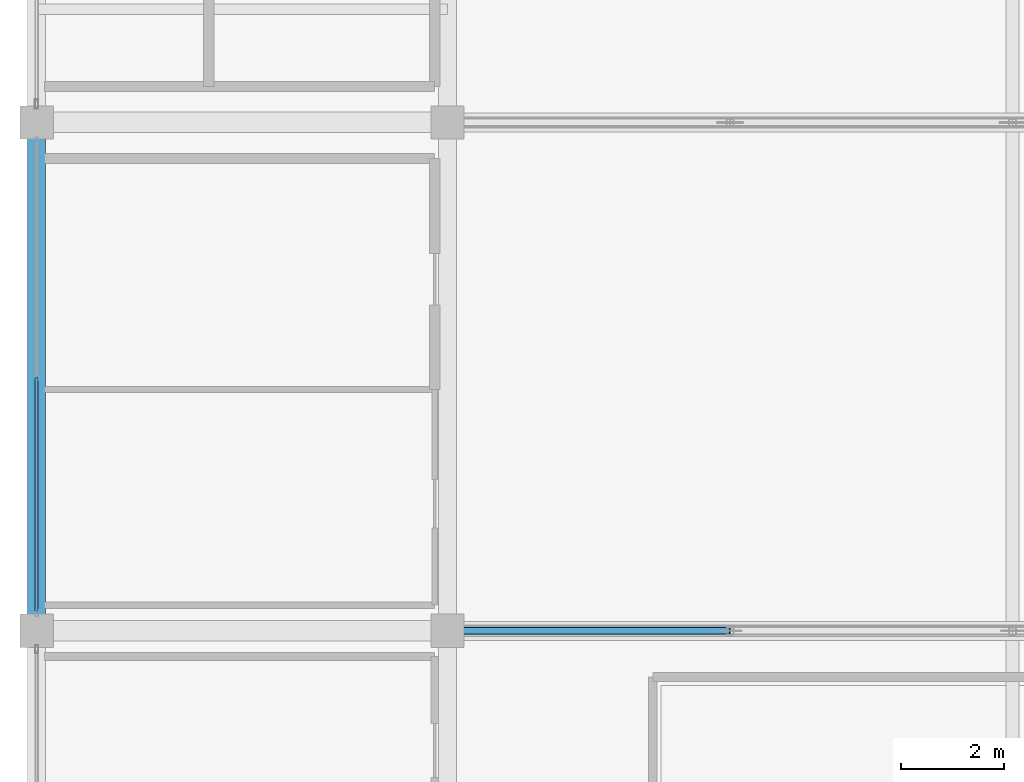
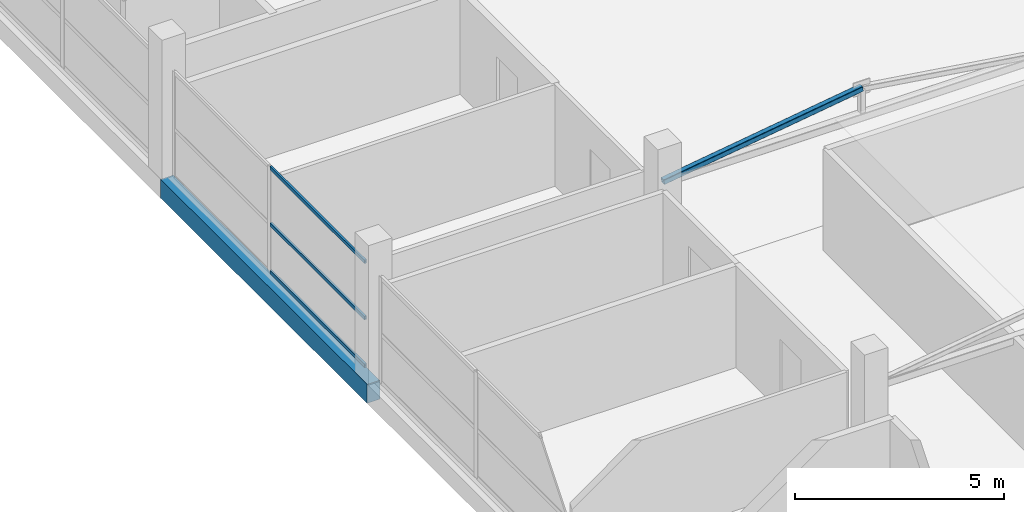
# One storey, part 22 of 66: 4 members, 1 beam, 1 element without a shape of its own.
"""IFC4 building model written with IfcOpenShell, lengths in metres."""

from ifc_helpers import new_model, si_unit, direction, frame, origin, origin_2d, place, context, subcontext, project, spatial, rectangle, hollow_rectangle, extrude, material, layer, layer_set, material_profile, profile_set, type_object, element, aggregate, save


model = new_model("IFC4")

# Units and contexts
model_context = context("Model", 3, precision=1e-05, world=origin(), true_north=direction((0.0, 1.0)))
body_context = subcontext(model_context, "Body", "Model", "MODEL_VIEW")
ifc_project = project(units=[si_unit("LENGTHUNIT", "METRE"), si_unit("AREAUNIT", "SQUARE_METRE"), si_unit("VOLUMEUNIT", "CUBIC_METRE"), si_unit("PLANEANGLEUNIT", "RADIAN"), si_unit("MASSUNIT", "GRAM", prefix="KILO")], contexts=[model_context])

# Site, building, storey
site_placement = place(None, origin())
site = spatial("IfcSite", under=ifc_project, at=site_placement, CompositionType="ELEMENT")
building_placement = place(site_placement, origin())
building = spatial("IfcBuilding", under=site, at=building_placement, Name="Sillaruma Civic Art Gallery", CompositionType="ELEMENT")
storey_placement = place(building_placement, frame((0.0, 0.0, 62.219970703125)))
storey = spatial("IfcBuildingStorey", under=building, at=storey_placement, Name="L12", CompositionType="ELEMENT", Elevation=62.219970703125)

# Beam
ifc_material_1 = material(Name="Concrete H35 (35 MPa)", Category="concrete")
ifc_material_profile_1 = material_profile(ifc_material_1, rectangle(XDim=0.35009765625, YDim=0.550048828125, at=origin_2d()), Name="RCB350x550")
ifc_profile_set_1 = profile_set([ifc_material_profile_1], Name="Concrete H35 (35 MPa)")
beam_type = type_object("IfcBeamType", Name="BM-SPANDREL-RCB350x550", PredefinedType="SPANDREL", material=ifc_profile_set_1)
beam_placement = place(storey_placement, frame((62.0, 59.39990234375, -0.5048828125), z_axis=(0.0, 1.0, 0.0), x_axis=(-1.0, 0.0, 0.0)))
element("IfcBeam", 1, at=beam_placement, inside=storey, type_object=beam_type, Name="Beam BS-04 (L11:F:7-8)", PredefinedType="SPANDREL", context=body_context, shape_type="SweptSolid", body=[
    extrude(rectangle(XDim=0.35009765625, YDim=0.550048828125, at=origin_2d()), origin(), (0.0, 0.0, 1.0), 9.900146484375),
])

# Member
ifc_material_2 = material(Name="Structural Steel ASTM A500 Gr.C", Category="steel")
ifc_material_profile_2 = material_profile(ifc_material_2, hollow_rectangle(XDim=0.14990234375, YDim=0.14990234375, WallThickness=0.010009765625, InnerFilletRadius=0.010009765625, OuterFilletRadius=0.02001953125, at=origin_2d()), Name="HSS150x150x10")
ifc_profile_set_2 = profile_set([ifc_material_profile_2], Name="Structural Steel ASTM A500 Gr.C")
member_type_1 = type_object("IfcMemberType", Name="MEM-BRACE-HSS150x150x10", PredefinedType="BRACE", material=ifc_profile_set_2)
member_1_placement = place(storey_placement, frame((70.0, 59.39990234375, 2.860107421875), z_axis=(0.989384036218, 0.0, 0.145324563914), x_axis=(0.0, 1.0, 0.0)))
element("IfcMember", 2, at=member_1_placement, inside=storey, type_object=member_type_1, Name="Warren Truss Diagonal TR-L12-2-D1", PredefinedType="BRACE", context=body_context, shape_type="SweptSolid", body=[
    extrude(hollow_rectangle(XDim=0.14990234375, YDim=0.14990234375, WallThickness=0.010009765625, InnerFilletRadius=0.010009765625, OuterFilletRadius=0.02001953125, at=origin_2d()), origin(), (0.0, 0.0, 1.0), 5.55908203125),
])

# Curtain wall, members
ifc_material_3 = material(Name="Thermally Broken Extruded Aluminium 6063-T6", Category="aluminium")
ifc_layer = layer(ifc_material_3, 0.139892578125, Name="Thermally Broken Extruded Aluminium 6063-T6")
ifc_layer_set = layer_set([ifc_layer], Name="Thermally Broken Extruded Aluminium 6063-T6")
curtain_wall_type = type_object("IfcCurtainWallType", Name="CW-UNI-93", PredefinedType="NOTDEFINED", material=ifc_layer_set)
curtain_wall_placement = place(storey_placement, origin())
curtain_wall = element("IfcCurtainWall", 3, at=curtain_wall_placement, inside=storey, type_object=curtain_wall_type, Name="Unitised Curtain Wall CW-93 (CW-L12-WBW-5)", PredefinedType="NOTDEFINED")
ifc_material_profile_3 = material_profile(ifc_material_3, hollow_rectangle(XDim=0.06005859375, YDim=0.10009765625, WallThickness=0.003173828125, at=origin_2d()), Name="CWT60x100")
ifc_profile_set_3 = profile_set([ifc_material_profile_3], Name="Thermally Broken Extruded Aluminium 6063-T6")
member_type_2 = type_object("IfcMemberType", Name="MEM-TRN-CWT60x100", PredefinedType="USERDEFINED", material=ifc_profile_set_3)
member_2_placement = place(storey_placement, frame((62.0, 59.784912109375, 0.030029296875), z_axis=(0.0, 1.0, 0.0), x_axis=(-1.0, 0.0, 0.0)))
member_2 = element("IfcMember", 4, at=member_2_placement, type_object=member_type_2, Name="CW-93 transom 1.1", ObjectType="TRANSOM", PredefinedType="USERDEFINED", context=body_context, shape_type="SweptSolid", body=[
    extrude(hollow_rectangle(XDim=0.06005859375, YDim=0.10009765625, WallThickness=0.003173828125, at=origin_2d()), origin(), (0.0, 0.0, 1.0), 4.53515625),
])
member_3_placement = place(storey_placement, frame((62.0, 59.784912109375, 1.426025390625), z_axis=(0.0, 1.0, 0.0), x_axis=(-1.0, 0.0, 0.0)))
member_3 = element("IfcMember", 5, at=member_3_placement, type_object=member_type_2, Name="CW-93 transom 1.2", ObjectType="TRANSOM", PredefinedType="USERDEFINED", context=body_context, shape_type="SweptSolid", body=[
    extrude(hollow_rectangle(XDim=0.06005859375, YDim=0.10009765625, WallThickness=0.003173828125, at=origin_2d()), origin(), (0.0, 0.0, 1.0), 4.53515625),
])
member_4_placement = place(storey_placement, frame((62.0, 59.784912109375, 3.070068359375), z_axis=(0.0, 1.0, 0.0), x_axis=(-1.0, 0.0, 0.0)))
member_4 = element("IfcMember", 6, at=member_4_placement, type_object=member_type_2, Name="CW-93 transom 1.3", ObjectType="TRANSOM", PredefinedType="USERDEFINED", context=body_context, shape_type="SweptSolid", body=[
    extrude(hollow_rectangle(XDim=0.06005859375, YDim=0.10009765625, WallThickness=0.003173828125, at=origin_2d()), origin(), (0.0, 0.0, 1.0), 4.53515625),
])
aggregate(curtain_wall, [member_2, member_3, member_4])

save(model, "model.ifc")
